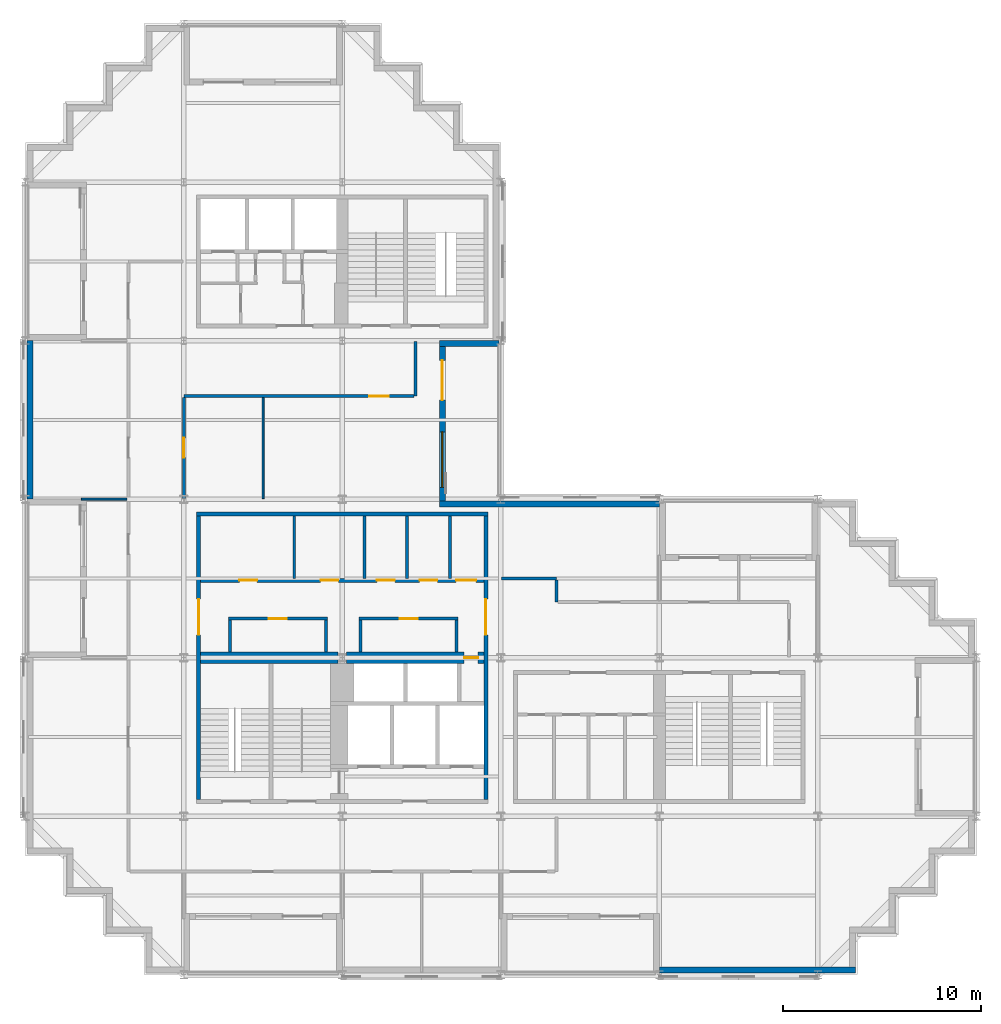
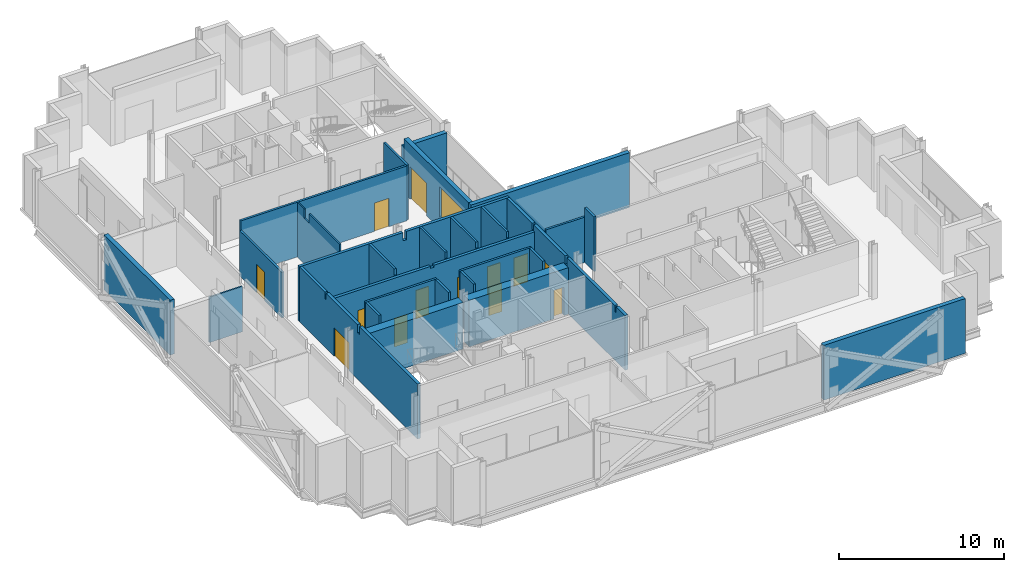
# One storey, part 6 of 10: 28 walls, 13 doors, 1 window, 14 openings.
"""IFC4 building model written with IfcOpenShell, lengths in metres."""

from ifc_helpers import new_model, si_unit, direction, frame, frame_2d, origin, place, context, subcontext, project, spatial, polyline, rectangle, outline, extrude, material, layer, layer_set, type_object, element, fill, save


model = new_model("IFC4")

# Units and contexts
model_context = context("Model", 3, precision=1e-05, world=origin(), true_north=direction((0.0, 1.0)))
body_context = subcontext(model_context, "Body", "Model", "MODEL_VIEW")
ifc_project = project(units=[si_unit("LENGTHUNIT", "METRE"), si_unit("AREAUNIT", "SQUARE_METRE"), si_unit("VOLUMEUNIT", "CUBIC_METRE"), si_unit("PLANEANGLEUNIT", "RADIAN"), si_unit("MASSUNIT", "GRAM", prefix="KILO")], contexts=[model_context])

# Site, building, storey
site_placement = place(None, origin())
site = spatial("IfcSite", under=ifc_project, at=site_placement, CompositionType="ELEMENT")
building_placement = place(site_placement, origin())
building = spatial("IfcBuilding", under=site, at=building_placement, Name="Immortelle Media Tower", CompositionType="ELEMENT")
storey_placement = place(building_placement, frame((0.0, 0.0, 162.0)))
storey = spatial("IfcBuildingStorey", under=building, at=storey_placement, Name="L33", CompositionType="ELEMENT", Elevation=162.0)

# Wall, opening, door
ifc_material_1 = material(Name="Fire-rated masonry blockwork", Category="masonry")
ifc_layer_1 = layer(ifc_material_1, 0.60009765625)
ifc_layer_set_1 = layer_set([ifc_layer_1], Name="Fire-rated masonry blockwork")
wall_type_1 = type_object("IfcWallType", Name="Core grid-line wall 600", PredefinedType="PARTITIONING", material=ifc_layer_set_1)
wall_1_placement = place(storey_placement, frame((16.20947265625, 16.0, 0.0), z_axis=(0.0, 0.0, 1.0), x_axis=(1.0, 0.0, 0.0)))
wall_1 = element("IfcWall", 1, at=wall_1_placement, inside=storey, type_object=wall_type_1, Name="Core grid-line wall SW", PredefinedType="PARTITIONING", context=body_context, shape_type="SweptSolid", body=[
    extrude(rectangle(XDim=6.9404296875, YDim=0.60009765625, at=frame_2d((3.47021484375, 0.0))), origin(), (0.0, 0.0, 1.0), 3.44189453125),
])
opening_1_placement = place(wall_1_placement, frame((6.640380859375, 0.0, 0.0), z_axis=(0.0, 0.0, 1.0), x_axis=(-1.0, 0.0, 0.0)))
opening_1 = element("IfcOpeningElement", 2, at=opening_1_placement, cuts=wall_1, Name="Opening C4-K016", PredefinedType="OPENING", context=body_context, shape_type="SweptSolid", body=[
    extrude(rectangle(XDim=0.699951171875, YDim=2.10009765625, at=frame_2d((0.35009765625, 1.050048828125))), frame((0.0, 0.31005859375, 0.0), z_axis=(0.0, -1.0, 0.0), x_axis=(1.0, 0.0, 0.0)), (0.0, 0.0, 1.0), 0.6201171875),
])
ifc_material_2 = material(Name="Galvanised steel door leaf and frame ASTM A653", Category="steel")
door_type_1 = type_object("IfcDoorType", Name="Service door 700 x 2100", OperationType="NOTDEFINED", PredefinedType="NOTDEFINED", material=ifc_material_2)
door_1_placement = place(opening_1_placement, origin())
door_1 = element("IfcDoor", 3, at=door_1_placement, inside=storey, type_object=door_type_1, Name="Service C4-K016", OperationType="SINGLE_SWING_LEFT", OverallHeight=2.10009765625, OverallWidth=0.699951171875, PredefinedType="NOTDEFINED", context=body_context, shape_type="SweptSolid", body=[
    extrude(rectangle(XDim=0.699951171875, YDim=2.10009765625, at=frame_2d((0.35009765625, 1.050048828125))), frame((0.0, 0.02490234375, 0.0), z_axis=(0.0, -1.0, 0.0), x_axis=(1.0, 0.0, 0.0)), (0.0, 0.0, 1.0), 0.050048828125),
])
fill(opening_1, door_1)

# Wall
ifc_material_3 = material(Name="Fire-rated gypsum board", Category="gypsum")
ifc_layer_2 = layer(ifc_material_3, 0.02490234375)
ifc_material_4 = material(Name="Steel ASTM A653 SS Gr 50 stud frame with mineral wool", Category="steel")
ifc_layer_3 = layer(ifc_material_4, 0.10009765625)
ifc_layer_4 = layer(ifc_material_3, 0.02490234375)
ifc_layer_set_2 = layer_set([ifc_layer_2, ifc_layer_3, ifc_layer_4], Name="Steel ASTM A653 SS Gr 50 stud frame with mineral wool")
wall_type_2 = type_object("IfcWallType", Name="Core partition 150", PredefinedType="PARTITIONING", material=ifc_layer_set_2)
wall_2_placement = place(storey_placement, frame((10.324951171875, 16.300048828125, 0.0), z_axis=(0.0, 0.0, 1.0), x_axis=(0.0, 1.0, 0.0)))
element("IfcWall", 4, at=wall_2_placement, inside=storey, type_object=wall_type_2, Name="Core partition SW", PredefinedType="PARTITIONING", context=body_context, shape_type="SweptSolid", body=[
    extrude(rectangle(XDim=1.599853515625, YDim=0.14990234375, at=frame_2d((0.7998046875, 0.0))), origin(), (0.0, 0.0, 1.0), 4.050048828125),
])

# Wall, opening, door
wall_3_placement = place(storey_placement, frame((10.25, 17.97509765625, 0.0), z_axis=(0.0, 0.0, 1.0), x_axis=(1.0, 0.0, 0.0)))
wall_3 = element("IfcWall", 5, at=wall_3_placement, inside=storey, type_object=wall_type_2, Name="Core partition SW", PredefinedType="PARTITIONING", context=body_context, shape_type="SweptSolid", body=[
    extrude(rectangle(XDim=5.0, YDim=0.14990234375, at=frame_2d((2.5, 0.0))), origin(), (0.0, 0.0, 1.0), 4.050048828125),
])
opening_2_placement = place(wall_3_placement, frame((2.949951171875, 0.0, 0.0), z_axis=(0.0, 0.0, 1.0), x_axis=(-1.0, 0.0, 0.0)))
opening_2 = element("IfcOpeningElement", 6, at=opening_2_placement, cuts=wall_3, Name="Opening C4-K004", PredefinedType="OPENING", context=body_context, shape_type="SweptSolid", body=[
    extrude(rectangle(XDim=0.89990234375, YDim=2.10009765625, at=frame_2d((0.449951171875, 1.050048828125))), frame((0.0, 0.0849609375, 0.0), z_axis=(0.0, -1.0, 0.0), x_axis=(1.0, 0.0, 0.0)), (0.0, 0.0, 1.0), 0.169921875),
])
ifc_material_5 = material(Name="Timber", Category="wood")
door_type_2 = type_object("IfcDoorType", Name="Room door 900 x 2100", OperationType="NOTDEFINED", PredefinedType="NOTDEFINED", material=ifc_material_5)
door_2_placement = place(opening_2_placement, origin())
door_2 = element("IfcDoor", 7, at=door_2_placement, inside=storey, type_object=door_type_2, Name="Room C4-K004", OperationType="SINGLE_SWING_LEFT", OverallHeight=2.10009765625, OverallWidth=0.89990234375, PredefinedType="NOTDEFINED", context=body_context, shape_type="SweptSolid", body=[
    extrude(rectangle(XDim=0.89990234375, YDim=2.10009765625, at=frame_2d((0.449951171875, 1.050048828125))), frame((0.0, 0.02490234375, 0.0), z_axis=(0.0, -1.0, 0.0), x_axis=(1.0, 0.0, 0.0)), (0.0, 0.0, 1.0), 0.050048828125),
])
fill(opening_2, door_2)

# Walls
wall_4_placement = place(storey_placement, frame((13.574951171875, 20.0, 0.0), z_axis=(0.0, 0.0, 1.0), x_axis=(0.0, 1.0, 0.0)))
element("IfcWall", 8, at=wall_4_placement, inside=storey, type_object=wall_type_2, Name="Core partition SW", PredefinedType="PARTITIONING", context=body_context, shape_type="SweptSolid", body=[
    extrude(outline(polyline([(0.0, 0.0), (3.14990234375, 0.0), (3.14990234375, 4.050048828125), (0.08154296875, 4.050048828125), (0.08056640625, 3.589111328125), (0.0, 3.589111328125), (0.0, 0.0)])), frame((0.0, 0.074951171875, 0.0), z_axis=(0.0, -1.0, 0.0), x_axis=(1.0, 0.0, 0.0)), (0.0, 0.0, 1.0), 0.14990234375),
])
for number, where, z_axis, x_axis, name in (
    (9, (15.175048828125, 16.300048828125, 0.0), (0.0, 0.0, 1.0), (0.0, 1.0, 0.0), "Core partition SW"),
    (10, (16.925048828125, 16.300048828125, 0.0), (0.0, 0.0, 1.0), (0.0, 1.0, 0.0), "Core partition SW"),
):
    element("IfcWall", number, at=place(storey_placement, frame(where, z_axis=z_axis, x_axis=x_axis)), inside=storey, type_object=wall_type_2, Name=name, PredefinedType="PARTITIONING", context=body_context, shape_type="SweptSolid", body=[
        extrude(rectangle(XDim=1.599853515625, YDim=0.14990234375, at=frame_2d((0.7998046875, 0.0))), origin(), (0.0, 0.0, 1.0), 4.050048828125),
    ])

# Wall, opening, door
wall_5_placement = place(storey_placement, frame((16.85009765625, 17.97509765625, 0.0), z_axis=(0.0, 0.0, 1.0), x_axis=(1.0, 0.0, 0.0)))
wall_5 = element("IfcWall", 11, at=wall_5_placement, inside=storey, type_object=wall_type_2, Name="Core partition SW", PredefinedType="PARTITIONING", context=body_context, shape_type="SweptSolid", body=[
    extrude(rectangle(XDim=5.0, YDim=0.14990234375, at=frame_2d((2.5, 0.0))), origin(), (0.0, 0.0, 1.0), 4.050048828125),
])
opening_3_placement = place(wall_5_placement, frame((2.949951171875, 0.0, 0.0), z_axis=(0.0, 0.0, 1.0), x_axis=(-1.0, 0.0, 0.0)))
opening_3 = element("IfcOpeningElement", 12, at=opening_3_placement, cuts=wall_5, Name="Opening C4-K010", PredefinedType="OPENING", context=body_context, shape_type="SweptSolid", body=[
    extrude(rectangle(XDim=0.89990234375, YDim=2.10009765625, at=frame_2d((0.449951171875, 1.050048828125))), frame((0.0, 0.0849609375, 0.0), z_axis=(0.0, -1.0, 0.0), x_axis=(1.0, 0.0, 0.0)), (0.0, 0.0, 1.0), 0.169921875),
])
door_3_placement = place(opening_3_placement, origin())
door_3 = element("IfcDoor", 13, at=door_3_placement, inside=storey, type_object=door_type_2, Name="Room C4-K010", OperationType="SINGLE_SWING_RIGHT", OverallHeight=2.10009765625, OverallWidth=0.89990234375, PredefinedType="NOTDEFINED", context=body_context, shape_type="SweptSolid", body=[
    extrude(rectangle(XDim=0.89990234375, YDim=2.10009765625, at=frame_2d((0.449951171875, 1.050048828125))), frame((0.0, 0.02490234375, 0.0), z_axis=(0.0, -1.0, 0.0), x_axis=(1.0, 0.0, 0.0)), (0.0, 0.0, 1.0), 0.050048828125),
])
fill(opening_3, door_3)

# Walls
for number, where, z_axis, x_axis, name in (
    (14, (17.125, 20.0, 0.0), (0.0, 0.0, 1.0), (0.0, 1.0, 0.0), "Core partition SW"),
    (15, (19.27490234375, 20.0, 0.0), (0.0, 0.0, 1.0), (0.0, 1.0, 0.0), "Core partition SW"),
    (16, (21.425048828125, 20.0, 0.0), (0.0, 0.0, 1.0), (0.0, 1.0, 0.0), "Core partition SW"),
):
    element("IfcWall", number, at=place(storey_placement, frame(where, z_axis=z_axis, x_axis=x_axis)), inside=storey, type_object=wall_type_2, Name=name, PredefinedType="PARTITIONING", context=body_context, shape_type="SweptSolid", body=[
        extrude(outline(polyline([(0.0, 0.0), (3.14990234375, 0.0), (3.14990234375, 4.050048828125), (0.08154296875, 4.050048828125), (0.08056640625, 3.589111328125), (0.0, 3.589111328125), (0.0, 0.0)])), frame((0.0, 0.074951171875, 0.0), z_axis=(0.0, -1.0, 0.0), x_axis=(1.0, 0.0, 0.0)), (0.0, 0.0, 1.0), 0.14990234375),
    ])
wall_6_placement = place(storey_placement, frame((21.77490234375, 16.300048828125, 0.0), z_axis=(0.0, 0.0, 1.0), x_axis=(0.0, 1.0, 0.0)))
element("IfcWall", 17, at=wall_6_placement, inside=storey, type_object=wall_type_2, Name="Core partition SW", PredefinedType="PARTITIONING", context=body_context, shape_type="SweptSolid", body=[
    extrude(rectangle(XDim=1.599853515625, YDim=0.14990234375, at=frame_2d((0.7998046875, 0.0))), origin(), (0.0, 0.0, 1.0), 4.050048828125),
])
ifc_layer_5 = layer(ifc_material_3, 0.03759765625)
ifc_layer_6 = layer(ifc_material_4, 0.125)
ifc_layer_7 = layer(ifc_material_3, 0.03759765625)
ifc_layer_set_3 = layer_set([ifc_layer_5, ifc_layer_6, ifc_layer_7], Name="Steel ASTM A653 SS Gr 50 stud frame with mineral wool")
wall_type_3 = type_object("IfcWallType", Name="Core shaft wall 200", PredefinedType="PARTITIONING", material=ifc_layer_set_3)
wall_7_placement = place(storey_placement, frame((8.64990234375, 23.25, 0.0), z_axis=(0.0, 0.0, 1.0), x_axis=(1.0, 0.0, 0.0)))
element("IfcWall", 18, at=wall_7_placement, inside=storey, type_object=wall_type_3, Name="Core shaft wall SW", PredefinedType="PARTITIONING", context=body_context, shape_type="SweptSolid", body=[
    extrude(outline(polyline([(0.0, 0.0), (14.7001953125, 0.0), (14.699951171875, 4.050048828125), (7.468994140625, 4.050048828125), (7.468017578125, 3.44189453125), (7.23193359375, 3.44189453125), (7.23095703125, 4.050048828125), (0.0, 4.050048828125), (0.0, 0.0)])), frame((0.0, 0.10009765625, 0.0), z_axis=(0.0, -1.0, 0.0), x_axis=(1.0, 0.0, 0.0)), (0.0, 0.0, 1.0), 0.199951171875),
])

# Wall, openings, doors
wall_8_placement = place(storey_placement, frame((8.85009765625, 19.89990234375, 0.0), z_axis=(0.0, 0.0, 1.0), x_axis=(1.0, 0.0, 0.0)))
wall_8 = element("IfcWall", 19, at=wall_8_placement, inside=storey, type_object=wall_type_3, Name="Core shaft wall SW", PredefinedType="PARTITIONING", context=body_context, shape_type="SweptSolid", body=[
    extrude(outline(polyline([(0.0, 0.0), (14.2998046875, 0.0), (14.300048828125, 3.589111328125), (7.26904296875, 3.589111328125), (7.26806640625, 3.44189453125), (7.031982421875, 3.44189453125), (7.031005859375, 3.589111328125), (0.0, 3.589111328125), (0.0, 0.0)])), frame((0.0, 0.10009765625, 0.0), z_axis=(0.0, -1.0, 0.0), x_axis=(1.0, 0.0, 0.0)), (0.0, 0.0, 1.0), 0.199951171875),
])
opening_4_placement = place(wall_8_placement, frame((1.949951171875, 0.0, 0.0)))
opening_4 = element("IfcOpeningElement", 20, at=opening_4_placement, cuts=wall_8, Name="Opening C4-K003", PredefinedType="OPENING", context=body_context, shape_type="SweptSolid", body=[
    extrude(rectangle(XDim=0.89990234375, YDim=2.10009765625, at=frame_2d((0.449951171875, 1.050048828125))), frame((0.0, 0.10986328125, 0.0), z_axis=(0.0, -1.0, 0.0), x_axis=(1.0, 0.0, 0.0)), (0.0, 0.0, 1.0), 0.219970703125),
])
opening_5_placement = place(wall_8_placement, frame((6.050048828125, 0.0, 0.0)))
opening_5 = element("IfcOpeningElement", 21, at=opening_5_placement, cuts=wall_8, Name="Opening C4-K006", PredefinedType="OPENING", context=body_context, shape_type="SweptSolid", body=[
    extrude(rectangle(XDim=0.89990234375, YDim=2.10009765625, at=frame_2d((0.449951171875, 1.050048828125))), frame((0.0, 0.10986328125, 0.0), z_axis=(0.0, -1.0, 0.0), x_axis=(1.0, 0.0, 0.0)), (0.0, 0.0, 1.0), 0.219970703125),
])
opening_6_placement = place(wall_8_placement, frame((8.89990234375, 0.0, 0.0)))
opening_6 = element("IfcOpeningElement", 22, at=opening_6_placement, cuts=wall_8, Name="Opening C4-K009", PredefinedType="OPENING", context=body_context, shape_type="SweptSolid", body=[
    extrude(rectangle(XDim=0.89990234375, YDim=2.10009765625, at=frame_2d((0.449951171875, 1.050048828125))), frame((0.0, 0.10986328125, 0.0), z_axis=(0.0, -1.0, 0.0), x_axis=(1.0, 0.0, 0.0)), (0.0, 0.0, 1.0), 0.219970703125),
])
opening_7_placement = place(wall_8_placement, frame((11.050048828125, 0.0, 0.0)))
opening_7 = element("IfcOpeningElement", 23, at=opening_7_placement, cuts=wall_8, Name="Opening C4-K013", PredefinedType="OPENING", context=body_context, shape_type="SweptSolid", body=[
    extrude(rectangle(XDim=0.89990234375, YDim=2.10009765625, at=frame_2d((0.449951171875, 1.050048828125))), frame((0.0, 0.10986328125, 0.0), z_axis=(0.0, -1.0, 0.0), x_axis=(1.0, 0.0, 0.0)), (0.0, 0.0, 1.0), 0.219970703125),
])
opening_8_placement = place(wall_8_placement, frame((12.89990234375, 0.0, 0.0)))
opening_8 = element("IfcOpeningElement", 24, at=opening_8_placement, cuts=wall_8, Name="Opening C4-K015", PredefinedType="OPENING", context=body_context, shape_type="SweptSolid", body=[
    extrude(rectangle(XDim=1.0, YDim=2.10009765625, at=frame_2d((0.5, 1.050048828125))), frame((0.0, 0.10986328125, 0.0), z_axis=(0.0, -1.0, 0.0), x_axis=(1.0, 0.0, 0.0)), (0.0, 0.0, 1.0), 0.219970703125),
])
door_type_3 = type_object("IfcDoorType", Name="Accessible toilet door 1000 x 2100", OperationType="NOTDEFINED", PredefinedType="NOTDEFINED", material=ifc_material_5)
door_4_placement = place(opening_8_placement, origin())
door_4 = element("IfcDoor", 25, at=door_4_placement, inside=storey, type_object=door_type_3, Name="Accessible toilet C4-K015", OperationType="SINGLE_SWING_RIGHT", OverallHeight=2.10009765625, OverallWidth=1.0, PredefinedType="NOTDEFINED", context=body_context, shape_type="SweptSolid", body=[
    extrude(rectangle(XDim=1.0, YDim=2.10009765625, at=frame_2d((0.5, 1.050048828125))), frame((0.0, 0.02490234375, 0.0), z_axis=(0.0, -1.0, 0.0), x_axis=(1.0, 0.0, 0.0)), (0.0, 0.0, 1.0), 0.050048828125),
])
fill(opening_8, door_4)
door_5_placement = place(opening_4_placement, origin())
door_5 = element("IfcDoor", 26, at=door_5_placement, inside=storey, type_object=door_type_2, Name="Room C4-K003", OperationType="SINGLE_SWING_RIGHT", OverallHeight=2.10009765625, OverallWidth=0.89990234375, PredefinedType="NOTDEFINED", context=body_context, shape_type="SweptSolid", body=[
    extrude(rectangle(XDim=0.89990234375, YDim=2.10009765625, at=frame_2d((0.449951171875, 1.050048828125))), frame((0.0, 0.02490234375, 0.0), z_axis=(0.0, -1.0, 0.0), x_axis=(1.0, 0.0, 0.0)), (0.0, 0.0, 1.0), 0.050048828125),
])
fill(opening_4, door_5)
door_6_placement = place(opening_5_placement, origin())
door_6 = element("IfcDoor", 27, at=door_6_placement, inside=storey, type_object=door_type_2, Name="Room C4-K006", OperationType="SINGLE_SWING_LEFT", OverallHeight=2.10009765625, OverallWidth=0.89990234375, PredefinedType="NOTDEFINED", context=body_context, shape_type="SweptSolid", body=[
    extrude(rectangle(XDim=0.89990234375, YDim=2.10009765625, at=frame_2d((0.449951171875, 1.050048828125))), frame((0.0, 0.02490234375, 0.0), z_axis=(0.0, -1.0, 0.0), x_axis=(1.0, 0.0, 0.0)), (0.0, 0.0, 1.0), 0.050048828125),
])
fill(opening_5, door_6)
door_type_4 = type_object("IfcDoorType", Name="Toilet door 900 x 2100", OperationType="NOTDEFINED", PredefinedType="NOTDEFINED", material=ifc_material_5)
door_7_placement = place(opening_6_placement, origin())
door_7 = element("IfcDoor", 28, at=door_7_placement, inside=storey, type_object=door_type_4, Name="Toilet C4-K009", OperationType="SINGLE_SWING_LEFT", OverallHeight=2.10009765625, OverallWidth=0.89990234375, PredefinedType="NOTDEFINED", context=body_context, shape_type="SweptSolid", body=[
    extrude(rectangle(XDim=0.89990234375, YDim=2.10009765625, at=frame_2d((0.449951171875, 1.050048828125))), frame((0.0, 0.02490234375, 0.0), z_axis=(0.0, -1.0, 0.0), x_axis=(1.0, 0.0, 0.0)), (0.0, 0.0, 1.0), 0.050048828125),
])
fill(opening_6, door_7)
door_8_placement = place(opening_7_placement, origin())
door_8 = element("IfcDoor", 29, at=door_8_placement, inside=storey, type_object=door_type_4, Name="Toilet C4-K013", OperationType="SINGLE_SWING_RIGHT", OverallHeight=2.10009765625, OverallWidth=0.89990234375, PredefinedType="NOTDEFINED", context=body_context, shape_type="SweptSolid", body=[
    extrude(rectangle(XDim=0.89990234375, YDim=2.10009765625, at=frame_2d((0.449951171875, 1.050048828125))), frame((0.0, 0.02490234375, 0.0), z_axis=(0.0, -1.0, 0.0), x_axis=(1.0, 0.0, 0.0)), (0.0, 0.0, 1.0), 0.050048828125),
])
fill(opening_7, door_8)

# Wall, opening, door
wall_9_placement = place(storey_placement, frame((23.25, 8.85009765625, 0.0), z_axis=(0.0, 0.0, 1.0), x_axis=(0.0, 1.0, 0.0)))
wall_9 = element("IfcWall", 30, at=wall_9_placement, inside=storey, type_object=wall_type_3, Name="Core shaft wall SW", PredefinedType="PARTITIONING", context=body_context, shape_type="SweptSolid", body=[
    extrude(outline(polyline([(0.0, 0.0), (14.2998046875, 0.0), (14.300048828125, 4.050048828125), (11.2314453125, 4.050048828125), (11.23046875, 3.589111328125), (11.069580078125, 3.589111328125), (11.068603515625, 4.050048828125), (7.26904296875, 4.050048828125), (7.26806640625, 3.44189453125), (7.031982421875, 3.44189453125), (7.031005859375, 4.050048828125), (1.2314453125, 4.050048828125), (1.23046875, 3.589111328125), (1.069580078125, 3.589111328125), (1.068603515625, 4.050048828125), (0.0, 4.050048828125), (0.0, 0.0)])), frame((0.0, 0.10009765625, 0.0), z_axis=(0.0, -1.0, 0.0), x_axis=(1.0, 0.0, 0.0)), (0.0, 0.0, 1.0), 0.199951171875),
])
opening_9_placement = place(wall_9_placement, frame((8.300048828125, 0.0, 0.0)))
opening_9 = element("IfcOpeningElement", 31, at=opening_9_placement, cuts=wall_9, Name="Opening C4-K017", PredefinedType="OPENING", context=body_context, shape_type="SweptSolid", body=[
    extrude(rectangle(XDim=1.800048828125, YDim=2.10009765625, at=frame_2d((0.89990234375, 1.050048828125))), frame((0.0, 0.10986328125, 0.0), z_axis=(0.0, -1.0, 0.0), x_axis=(1.0, 0.0, 0.0)), (0.0, 0.0, 1.0), 0.219970703125),
])
door_type_5 = type_object("IfcDoorType", Name="Lift lobby door 1800 x 2100", OperationType="DOUBLE_DOOR_SINGLE_SWING", PredefinedType="NOTDEFINED", material=ifc_material_2)
door_9_placement = place(opening_9_placement, origin())
door_9 = element("IfcDoor", 32, at=door_9_placement, inside=storey, type_object=door_type_5, Name="Lift lobby C4-K017", OperationType="DOUBLE_DOOR_SINGLE_SWING", OverallHeight=2.10009765625, OverallWidth=1.800048828125, PredefinedType="NOTDEFINED", context=body_context, shape_type="SweptSolid", body=[
    extrude(rectangle(XDim=1.800048828125, YDim=2.10009765625, at=frame_2d((0.89990234375, 1.050048828125))), frame((0.0, 0.02490234375, 0.0), z_axis=(0.0, -1.0, 0.0), x_axis=(1.0, 0.0, 0.0)), (0.0, 0.0, 1.0), 0.050048828125),
])
fill(opening_9, door_9)

# Walls
ifc_layer_8 = layer(ifc_material_3, 0.012451171875)
ifc_layer_9 = layer(ifc_material_4, 0.125)
ifc_layer_10 = layer(ifc_material_3, 0.012451171875)
ifc_layer_set_4 = layer_set([ifc_layer_8, ifc_layer_9, ifc_layer_10], Name="Steel ASTM A653 SS Gr 50 stud frame with mineral wool")
wall_type_4 = type_object("IfcWallType", Name="Corridor wall 150", PredefinedType="PARTITIONING", material=ifc_layer_set_4)
wall_10_placement = place(storey_placement, frame((26.800048828125, 18.800048828125, 0.0), z_axis=(0.0, 0.0, 1.0), x_axis=(0.0, 1.0, 0.0)))
element("IfcWall", 33, at=wall_10_placement, inside=storey, type_object=wall_type_4, Name="Partition L33-012", PredefinedType="PARTITIONING", context=body_context, shape_type="SweptSolid", body=[
    extrude(rectangle(XDim=1.125, YDim=0.14990234375, at=frame_2d((0.5625, 0.0))), origin(), (0.0, 0.0, 1.0), 4.050048828125),
])
wall_11_placement = place(storey_placement, frame((24.030029296875, 20.0, 0.0), z_axis=(0.0, 0.0, 1.0), x_axis=(1.0, 0.0, 0.0)))
element("IfcWall", 34, at=wall_11_placement, inside=storey, type_object=wall_type_4, Name="Partition L33-015", PredefinedType="PARTITIONING", context=body_context, shape_type="SweptSolid", body=[
    extrude(rectangle(XDim=2.77001953125, YDim=0.14990234375, at=frame_2d((1.385009765625, 0.0))), origin(), (0.0, 0.0, 1.0), 3.35400390625),
])

# Wall, opening, door
wall_12_placement = place(storey_placement, frame((8.0, 24.030029296875, 0.0), z_axis=(0.0, 0.0, 1.0), x_axis=(0.0, 1.0, 0.0)))
wall_12 = element("IfcWall", 35, at=wall_12_placement, inside=storey, type_object=wall_type_4, Name="Partition L33-017", PredefinedType="PARTITIONING", context=body_context, shape_type="SweptSolid", body=[
    extrude(rectangle(XDim=5.094970703125, YDim=0.14990234375, at=frame_2d((2.54736328125, 0.0))), origin(), (0.0, 0.0, 1.0), 3.35400390625),
])
opening_10_placement = place(wall_12_placement, frame((3.070068359375, 0.0, 0.0), z_axis=(0.0, 0.0, 1.0), x_axis=(-1.0, 0.0, 0.0)))
opening_10 = element("IfcOpeningElement", 36, at=opening_10_placement, cuts=wall_12, Name="Opening C4-F010", PredefinedType="OPENING", context=body_context, shape_type="SweptSolid", body=[
    extrude(rectangle(XDim=1.0, YDim=2.10009765625, at=frame_2d((0.5, 1.050048828125))), frame((0.0, 0.0849609375, 0.0), z_axis=(0.0, -1.0, 0.0), x_axis=(1.0, 0.0, 0.0)), (0.0, 0.0, 1.0), 0.169921875),
])
ifc_material_6 = material(Name="Timber veneered door leaf, galvanised steel frame ASTM A653", Category="steel")
door_type_6 = type_object("IfcDoorType", Name="Room door 1000 x 2100", OperationType="NOTDEFINED", PredefinedType="DOOR", material=ifc_material_6)
door_10_placement = place(opening_10_placement, origin())
door_10 = element("IfcDoor", 37, at=door_10_placement, inside=storey, type_object=door_type_6, Name="Door C4-F010", OperationType="SINGLE_SWING_LEFT", OverallHeight=2.10009765625, OverallWidth=1.0, PredefinedType="DOOR", context=body_context, shape_type="SweptSolid", body=[
    extrude(rectangle(XDim=1.0, YDim=2.10009765625, at=frame_2d((0.5, 1.050048828125))), frame((0.0, 0.02490234375, 0.0), z_axis=(0.0, -1.0, 0.0), x_axis=(1.0, 0.0, 0.0)), (0.0, 0.0, 1.0), 0.050048828125),
])
fill(opening_10, door_10)

wall_13_placement = place(storey_placement, frame((8.0, 29.199951171875, 0.0), z_axis=(0.0, 0.0, 1.0), x_axis=(1.0, 0.0, 0.0)))
wall_13 = element("IfcWall", 38, at=wall_13_placement, inside=storey, type_object=wall_type_4, Name="Partition L33-019", PredefinedType="PARTITIONING", context=body_context, shape_type="SweptSolid", body=[
    extrude(rectangle(XDim=11.625, YDim=0.14990234375, at=frame_2d((5.8125, 0.0))), origin(), (0.0, 0.0, 1.0), 4.050048828125),
])
opening_11_placement = place(wall_13_placement, frame((10.35009765625, 0.0, 0.0), z_axis=(0.0, 0.0, 1.0), x_axis=(-1.0, 0.0, 0.0)))
opening_11 = element("IfcOpeningElement", 39, at=opening_11_placement, cuts=wall_13, Name="Opening C4-F011", PredefinedType="OPENING", context=body_context, shape_type="SweptSolid", body=[
    extrude(rectangle(XDim=1.0, YDim=2.10009765625, at=frame_2d((0.5, 1.050048828125))), frame((0.0, 0.0849609375, 0.0), z_axis=(0.0, -1.0, 0.0), x_axis=(1.0, 0.0, 0.0)), (0.0, 0.0, 1.0), 0.169921875),
])
door_11_placement = place(opening_11_placement, origin())
door_11 = element("IfcDoor", 40, at=door_11_placement, inside=storey, type_object=door_type_6, Name="Door C4-F011", OperationType="SINGLE_SWING_LEFT", OverallHeight=2.10009765625, OverallWidth=1.0, PredefinedType="DOOR", context=body_context, shape_type="SweptSolid", body=[
    extrude(rectangle(XDim=1.0, YDim=2.10009765625, at=frame_2d((0.5, 1.050048828125))), frame((0.0, 0.02490234375, 0.0), z_axis=(0.0, -1.0, 0.0), x_axis=(1.0, 0.0, 0.0)), (0.0, 0.0, 1.0), 0.050048828125),
])
fill(opening_11, door_11)

# Walls
wall_14_placement = place(storey_placement, frame((19.699951171875, 29.199951171875, 0.0), z_axis=(0.0, 0.0, 1.0), x_axis=(0.0, 1.0, 0.0)))
element("IfcWall", 41, at=wall_14_placement, inside=storey, type_object=wall_type_4, Name="Partition L33-020", PredefinedType="PARTITIONING", context=body_context, shape_type="SweptSolid", body=[
    extrude(rectangle(XDim=2.77001953125, YDim=0.14990234375, at=frame_2d((1.385009765625, 0.0))), origin(), (0.0, 0.0, 1.0), 4.050048828125),
])
ifc_material_7 = material(Name="Pale aluminium cladding panel", Category="aluminium")
ifc_layer_11 = layer(ifc_material_7, 0.030029296875)
ifc_layer_12 = layer(ifc_material_4, 0.257568359375)
ifc_material_8 = material(Name="Moisture-resistant gypsum board", Category="gypsum")
ifc_layer_13 = layer(ifc_material_8, 0.012451171875)
ifc_layer_set_5 = layer_set([ifc_layer_11, ifc_layer_12, ifc_layer_13], Name="Steel ASTM A653 SS Gr 50 stud frame with mineral wool")
wall_type_5 = type_object("IfcWallType", Name="Facade wall 300", PredefinedType="SOLIDWALL", material=ifc_layer_set_5)
wall_15_placement = place(storey_placement, frame((32.0, 0.25, 0.0), z_axis=(0.0, 0.0, 1.0), x_axis=(1.0, 0.0, 0.0)))
element("IfcWall", 42, at=wall_15_placement, inside=storey, type_object=wall_type_5, Name="Facade wall L33 S6", PredefinedType="SOLIDWALL", context=body_context, shape_type="SweptSolid", body=[
    extrude(rectangle(XDim=9.89990234375, YDim=0.300048828125, at=frame_2d((4.949951171875, 0.0))), origin(), (0.0, 0.0, 1.0), 4.050048828125),
])
wall_16_placement = place(storey_placement, frame((32.0, 23.75, 0.0), z_axis=(0.0, 0.0, 1.0), x_axis=(-1.0, 0.0, 0.0)))
element("IfcWall", 43, at=wall_16_placement, inside=storey, type_object=wall_type_5, Name="Facade wall L33 N20", PredefinedType="SOLIDWALL", context=body_context, shape_type="SweptSolid", body=[
    extrude(rectangle(XDim=11.10009765625, YDim=0.300048828125, at=frame_2d((5.550048828125, 0.0))), origin(), (0.0, 0.0, 1.0), 4.050048828125),
])

# Wall, openings, door, window
wall_17_placement = place(storey_placement, frame((21.050048828125, 23.89990234375, 0.0), z_axis=(0.0, 0.0, 1.0), x_axis=(0.0, 1.0, 0.0)))
wall_17 = element("IfcWall", 44, at=wall_17_placement, inside=storey, type_object=wall_type_5, Name="Loggia wall L33 E21", PredefinedType="SOLIDWALL", context=body_context, shape_type="SweptSolid", body=[
    extrude(rectangle(XDim=7.800048828125, YDim=0.300048828125, at=frame_2d((3.89990234375, 0.0))), origin(), (0.0, 0.0, 1.0), 4.050048828125),
])
opening_12_placement = place(wall_17_placement, frame((0.699951171875, 0.0, 0.89990234375)))
opening_12 = element("IfcOpeningElement", 45, at=opening_12_placement, cuts=wall_17, Name="Opening W1", PredefinedType="OPENING", context=body_context, shape_type="SweptSolid", body=[
    extrude(rectangle(XDim=2.800048828125, YDim=2.199951171875, at=frame_2d((1.39990234375, 1.10009765625))), frame((0.0, 0.159912109375, 0.0), z_axis=(0.0, -1.0, 0.0), x_axis=(1.0, 0.0, 0.0)), (0.0, 0.0, 1.0), 0.320068359375),
])
opening_13_placement = place(wall_17_placement, frame((5.10009765625, 0.0, 0.0)))
opening_13 = element("IfcOpeningElement", 46, at=opening_13_placement, cuts=wall_17, Name="Opening C4-E005", PredefinedType="OPENING", context=body_context, shape_type="SweptSolid", body=[
    extrude(rectangle(XDim=2.0, YDim=2.39990234375, at=frame_2d((1.0, 1.199951171875))), frame((0.0, 0.159912109375, 0.0), z_axis=(0.0, -1.0, 0.0), x_axis=(1.0, 0.0, 0.0)), (0.0, 0.0, 1.0), 0.320068359375),
])
ifc_material_9 = material(Name="Aluminium frame, glazed leaves", Category="aluminium")
door_type_7 = type_object("IfcDoorType", Name="Loggia door 2000 x 2400", OperationType="DOUBLE_DOOR_SINGLE_SWING", PredefinedType="DOOR", material=ifc_material_9)
door_12_placement = place(opening_13_placement, origin())
door_12 = element("IfcDoor", 47, at=door_12_placement, inside=storey, type_object=door_type_7, Name="Door C4-E005", OperationType="DOUBLE_DOOR_SINGLE_SWING", OverallHeight=2.39990234375, OverallWidth=2.0, PredefinedType="DOOR", context=body_context, shape_type="SweptSolid", body=[
    extrude(rectangle(XDim=2.0, YDim=2.39990234375, at=frame_2d((1.0, 1.199951171875))), frame((0.0, 0.02490234375, 0.0), z_axis=(0.0, -1.0, 0.0), x_axis=(1.0, 0.0, 0.0)), (0.0, 0.0, 1.0), 0.050048828125),
])
fill(opening_13, door_12)
ifc_material_10 = material(Name="Aluminium frame", Category="aluminium")
window_type = type_object("IfcWindowType", Name="Window 2800 x 2200", PartitioningType="SINGLE_PANEL", PredefinedType="WINDOW", material=ifc_material_10)
window_placement = place(opening_12_placement, origin())
window = element("IfcWindow", 48, at=window_placement, inside=storey, type_object=window_type, Name="Window L33 L33-R21-B0", OverallHeight=2.199951171875, OverallWidth=2.800048828125, PartitioningType="SINGLE_PANEL", PredefinedType="WINDOW", context=body_context, shape_type="SweptSolid", body=[
    extrude(rectangle(XDim=2.800048828125, YDim=2.199951171875, at=frame_2d((1.39990234375, 1.10009765625))), frame((0.0, 0.030029296875, 0.0), z_axis=(0.0, -1.0, 0.0), x_axis=(1.0, 0.0, 0.0)), (0.0, 0.0, 1.0), 0.06005859375),
])
fill(opening_12, window)

# Walls
wall_18_placement = place(storey_placement, frame((23.89990234375, 31.85009765625, 0.0), z_axis=(0.0, 0.0, 1.0), x_axis=(-1.0, 0.0, 0.0)))
element("IfcWall", 49, at=wall_18_placement, inside=storey, type_object=wall_type_5, Name="Loggia cheek wall L33 E", PredefinedType="SOLIDWALL", context=body_context, shape_type="SweptSolid", body=[
    extrude(rectangle(XDim=3.0, YDim=0.300048828125, at=frame_2d((1.5, 0.0))), origin(), (0.0, 0.0, 1.0), 3.43701171875),
])
wall_19_placement = place(storey_placement, frame((0.25, 32.0, 0.0), z_axis=(0.0, 0.0, 1.0), x_axis=(0.0, -1.0, 0.0)))
element("IfcWall", 50, at=wall_19_placement, inside=storey, type_object=wall_type_5, Name="Facade wall L33 W35", PredefinedType="SOLIDWALL", context=body_context, shape_type="SweptSolid", body=[
    extrude(rectangle(XDim=8.0, YDim=0.300048828125, at=frame_2d((4.0, 0.0))), origin(), (0.0, 0.0, 1.0), 4.050048828125),
])
ifc_material_11 = material(Name="Gypsum board", Category="gypsum")
ifc_layer_14 = layer(ifc_material_11, 0.012451171875)
ifc_layer_15 = layer(ifc_material_4, 0.074951171875)
ifc_layer_16 = layer(ifc_material_11, 0.012451171875)
ifc_layer_set_6 = layer_set([ifc_layer_14, ifc_layer_15, ifc_layer_16], Name="Steel ASTM A653 SS Gr 50 stud frame with mineral wool")
wall_type_6 = type_object("IfcWallType", Name="Partition 100", PredefinedType="PARTITIONING", material=ifc_layer_set_6)
wall_20_placement = place(storey_placement, frame((2.830078125, 24.0, 0.0), z_axis=(0.0, 0.0, 1.0), x_axis=(1.0, 0.0, 0.0)))
element("IfcWall", 51, at=wall_20_placement, inside=storey, type_object=wall_type_6, Name="Partition L33-016", PredefinedType="PARTITIONING", context=body_context, shape_type="SweptSolid", body=[
    extrude(rectangle(XDim=2.294921875, YDim=0.10009765625, at=frame_2d((1.1474609375, 0.0))), origin(), (0.0, 0.0, 1.0), 3.35400390625),
])
wall_21_placement = place(storey_placement, frame((12.0, 24.030029296875, 0.0), z_axis=(0.0, 0.0, 1.0), x_axis=(0.0, 1.0, 0.0)))
element("IfcWall", 52, at=wall_21_placement, inside=storey, type_object=wall_type_6, Name="Partition L33-018", PredefinedType="PARTITIONING", context=body_context, shape_type="SweptSolid", body=[
    extrude(outline(polyline([(0.0, 0.0), (5.094970703125, 0.0), (5.094970703125, 4.050048828125), (4.27001953125, 4.050048828125), (4.26806640625, 3.35400390625), (3.672119140625, 3.35400390625), (3.669921875, 4.050048828125), (0.0, 4.050048828125), (0.0, 0.0)])), frame((0.0, 0.050048828125, 0.0), z_axis=(0.0, -1.0, 0.0), x_axis=(1.0, 0.0, 0.0)), (0.0, 0.0, 1.0), 0.10009765625),
])

# Wall, opening, door
ifc_material_12 = material(Name="Concrete C60", Category="concrete")
ifc_layer_17 = layer(ifc_material_12, 0.199951171875)
ifc_layer_set_7 = layer_set([ifc_layer_17], Name="Concrete C60")
wall_type_7 = type_object("IfcWallType", Name="Stair shaft wall 200", PredefinedType="PARTITIONING", material=ifc_layer_set_7)
wall_22_placement = place(storey_placement, frame((8.75, 8.85009765625, 0.0), z_axis=(0.0, 0.0, 1.0), x_axis=(0.0, 1.0, 0.0)))
wall_22 = element("IfcWall", 53, at=wall_22_placement, inside=storey, type_object=wall_type_7, Name="Stair shaft wall SW", PredefinedType="PARTITIONING", context=body_context, shape_type="SweptSolid", body=[
    extrude(outline(polyline([(0.0, 0.0), (14.2998046875, 0.0), (14.300048828125, 4.050048828125), (11.2314453125, 4.050048828125), (11.23046875, 3.589111328125), (11.069580078125, 3.589111328125), (11.068603515625, 4.050048828125), (7.26904296875, 4.050048828125), (7.26806640625, 3.44189453125), (7.031982421875, 3.44189453125), (7.031005859375, 4.050048828125), (0.0, 4.050048828125), (0.0, 0.0)])), frame((0.0, 0.10009765625, 0.0), z_axis=(0.0, -1.0, 0.0), x_axis=(1.0, 0.0, 0.0)), (0.0, 0.0, 1.0), 0.199951171875),
])
opening_14_placement = place(wall_22_placement, frame((8.300048828125, 0.0, 0.0)))
opening_14 = element("IfcOpeningElement", 54, at=opening_14_placement, cuts=wall_22, Name="Opening C4-K001", PredefinedType="OPENING", context=body_context, shape_type="SweptSolid", body=[
    extrude(rectangle(XDim=1.800048828125, YDim=2.10009765625, at=frame_2d((0.89990234375, 1.050048828125))), frame((0.0, 0.10986328125, 0.0), z_axis=(0.0, -1.0, 0.0), x_axis=(1.0, 0.0, 0.0)), (0.0, 0.0, 1.0), 0.219970703125),
])
door_13_placement = place(opening_14_placement, origin())
door_13 = element("IfcDoor", 55, at=door_13_placement, inside=storey, type_object=door_type_5, Name="Lift lobby C4-K001", OperationType="DOUBLE_DOOR_SINGLE_SWING", OverallHeight=2.10009765625, OverallWidth=1.800048828125, PredefinedType="NOTDEFINED", context=body_context, shape_type="SweptSolid", body=[
    extrude(rectangle(XDim=1.800048828125, YDim=2.10009765625, at=frame_2d((0.89990234375, 1.050048828125))), frame((0.0, 0.02490234375, 0.0), z_axis=(0.0, -1.0, 0.0), x_axis=(1.0, 0.0, 0.0)), (0.0, 0.0, 1.0), 0.050048828125),
])
fill(opening_14, door_13)

# Wall
ifc_layer_18 = layer(ifc_material_12, 0.60009765625)
ifc_layer_set_8 = layer_set([ifc_layer_18], Name="Concrete C60")
wall_type_8 = type_object("IfcWallType", Name="Stair shaft wall 600", PredefinedType="PARTITIONING", material=ifc_layer_set_8)
wall_23_placement = place(storey_placement, frame((8.85009765625, 16.0, 0.0), z_axis=(0.0, 0.0, 1.0), x_axis=(1.0, 0.0, 0.0)))
element("IfcWall", 56, at=wall_23_placement, inside=storey, type_object=wall_type_8, Name="Stair shaft wall SW", PredefinedType="PARTITIONING", context=body_context, shape_type="SweptSolid", body=[
    extrude(rectangle(XDim=6.9404296875, YDim=0.60009765625, at=frame_2d((3.47021484375, 0.0))), origin(), (0.0, 0.0, 1.0), 3.44189453125),
])

save(model, "model.ifc")
